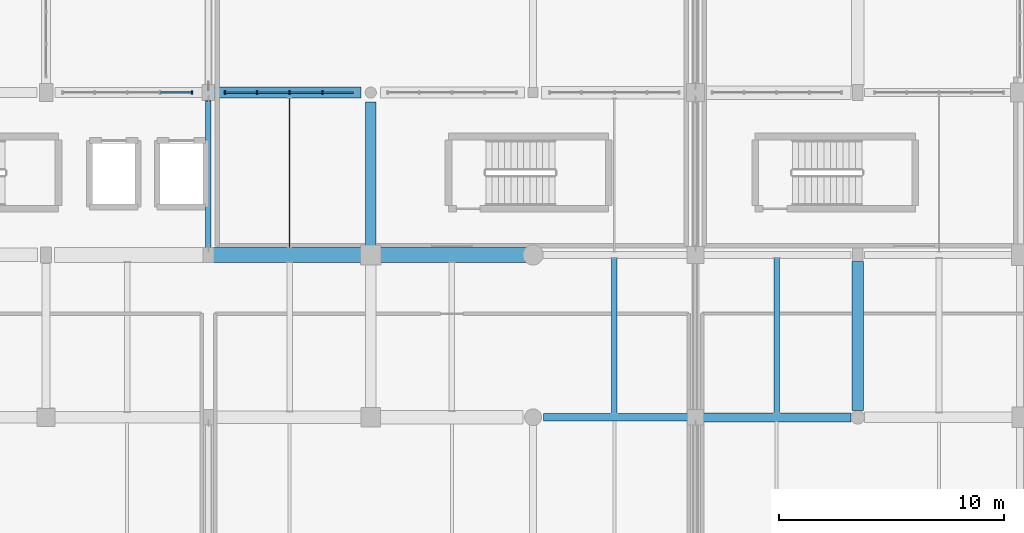
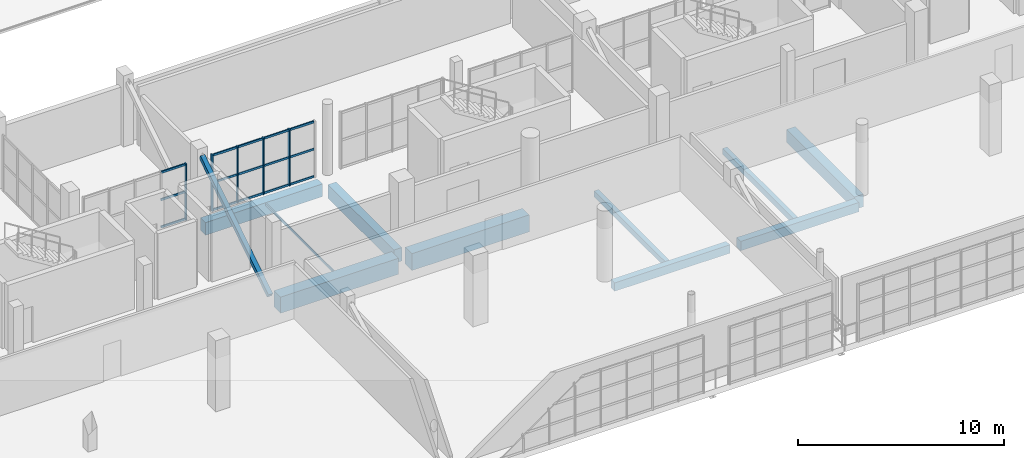
# One storey, part 30 of 90: 21 members, 10 beams, 2 elements without a shape of their own.
"""IFC4 building model written with IfcOpenShell, lengths in metres."""

import ifcopenshell
import ifcopenshell.guid

model = None  # the IFC model being written
_history = None  # IfcOwnerHistory: only IFC2X3 demands one
_inside = {}  # id of a spatial element -> (the spatial element, [elements in it])
_under = {}  # id of a project, library or spatial element -> (it, [spatial elements below it])
_declared = {}  # id of a project -> (the project, [libraries it declares])
_typed = {}  # id of a type object -> (the type object, [elements of that type])
_made_of = {}  # id of a material, layer set ... -> (it, [elements and type objects made of it])


def new_model(schema):
    """Start an empty IFC model of exactly this schema.

    Asked for "IFC4X3", IfcOpenShell would pick the latest addendum, in which some entities
    have other attributes; the version numbers below select the first issue.
    IFC2X3 requires an IfcOwnerHistory on every rooted entity: one is made here for all.
    """
    global model, _history
    if schema == "IFC4X3":
        model = ifcopenshell.file(schema_version=(4, 3, 0, 0))
    else:
        model = ifcopenshell.file(schema=schema)
    _inside.clear()
    _under.clear()
    _declared.clear()
    _typed.clear()
    _made_of.clear()
    _history = None
    if model.schema == "IFC2X3":
        org = make("IfcOrganization", Name="unknown")
        user = make(
            "IfcPersonAndOrganization",
            ThePerson=make("IfcPerson", FamilyName="unknown"),
            TheOrganization=org,
        )
        app = make(
            "IfcApplication",
            ApplicationDeveloper=org,
            Version="unknown",
            ApplicationFullName="unknown",
            ApplicationIdentifier="unknown",
        )
        _history = make(
            "IfcOwnerHistory",
            OwningUser=user,
            OwningApplication=app,
            ChangeAction="ADDED",
            CreationDate=0,
        )
    return model


def make(cls, **values):
    """One entity of the class cls with the attributes given. An attribute that is None is left unset."""
    return model.create_entity(
        cls, **{name: value for name, value in values.items() if value is not None}
    )


def rooted(cls, **values):
    """An entity with a GlobalId (a new one), such as an element, a storey or a relation."""
    return make(cls, GlobalId=ifcopenshell.guid.new(), OwnerHistory=_history, **values)


def si_unit(unit_type, name, prefix=None):
    """IfcSIUnit, for example si_unit("LENGTHUNIT", "METRE", prefix="MILLI")."""
    return make("IfcSIUnit", UnitType=unit_type, Prefix=prefix, Name=name)


def assignment(units):
    """IfcUnitAssignment: the units of a project."""
    return None if units is None else make("IfcUnitAssignment", Units=units)


def point(xyz):
    """IfcCartesianPoint."""
    return None if xyz is None else make("IfcCartesianPoint", Coordinates=xyz)


def direction(xyz):
    """IfcDirection."""
    return None if xyz is None else make("IfcDirection", DirectionRatios=xyz)


def frame(location, z_axis=None, x_axis=None):
    """IfcAxis2Placement3D, a coordinate frame: its origin and axes. An axis left out is left unset."""
    return make(
        "IfcAxis2Placement3D",
        Location=point(location),
        Axis=direction(z_axis),
        RefDirection=direction(x_axis),
    )


def frame_2d(location, x_axis=None):
    """IfcAxis2Placement2D, a coordinate frame in the plane: its origin and x axis."""
    return make(
        "IfcAxis2Placement2D", Location=point(location), RefDirection=direction(x_axis)
    )


def origin():
    """The frame at (0, 0, 0) with its axes left unset."""
    return frame((0.0, 0.0, 0.0))


def origin_2d():
    """The frame at (0, 0) in the plane with its x axis left unset."""
    return frame_2d((0.0, 0.0))


def place(relative_to, where):
    """IfcLocalPlacement: puts the frame where relative to a parent placement (None: the world)."""
    return make(
        "IfcLocalPlacement", PlacementRelTo=relative_to, RelativePlacement=where
    )


def context(
    kind, dimensions, precision=None, world=None, true_north=None, identifier=None
):
    """IfcGeometricRepresentationContext, for example the 3D "Model" context."""
    return make(
        "IfcGeometricRepresentationContext",
        ContextIdentifier=identifier,
        ContextType=kind,
        CoordinateSpaceDimension=dimensions,
        Precision=precision,
        WorldCoordinateSystem=world,
        TrueNorth=true_north,
    )


def subcontext(parent, identifier, kind, view, scale=None):
    """IfcGeometricRepresentationSubContext, for example "Body" below "Model"."""
    return make(
        "IfcGeometricRepresentationSubContext",
        ContextIdentifier=identifier,
        ContextType=kind,
        ParentContext=parent,
        TargetScale=scale,
        TargetView=view,
    )


def project(units=None, contexts=None):
    """IfcProject with its units and contexts."""
    return rooted(
        "IfcProject",
        Name="project",
        RepresentationContexts=contexts,
        UnitsInContext=assignment(units),
    )


def spatial(cls, under=None, at=None, **own):
    """A site, building, storey or space (cls), placed at a placement, below another one or the project."""
    s = rooted(cls, ObjectPlacement=at, **own)
    if under is not None:
        _under.setdefault(under.id(), (under, []))[1].append(s)
    return s


def profile(cls, at=None, kind="AREA", **sizes):
    """A parametric profile (cls). Its sizes go by their IFC names, for example OverallWidth=200.0."""
    return make(cls, ProfileType=kind, Position=at, **sizes)


def rectangle(**sizes):
    """IfcRectangleProfileDef."""
    return profile("IfcRectangleProfileDef", **sizes)


def hollow_rectangle(**sizes):
    """IfcRectangleHollowProfileDef."""
    return profile("IfcRectangleHollowProfileDef", **sizes)


def extrude(swept, where, along, depth):
    """IfcExtrudedAreaSolid: the profile swept, set in the frame where, extruded along a direction by depth."""
    return make(
        "IfcExtrudedAreaSolid",
        SweptArea=swept,
        Position=where,
        ExtrudedDirection=direction(along),
        Depth=depth,
    )


def shape(context_of_items, identifier, shape_type, items):
    """IfcShapeRepresentation: the items that make up one representation, for example the "Body"."""
    return make(
        "IfcShapeRepresentation",
        ContextOfItems=context_of_items,
        RepresentationIdentifier=identifier,
        RepresentationType=shape_type,
        Items=items,
    )


def material(Name=None, Category=None):
    """IfcMaterial."""
    return make("IfcMaterial", Name=Name, Category=Category)


def material_profile(
    of_material, cross_section, Name=None, Category=None, Priority=None
):
    """IfcMaterialProfile: a cross section and its material."""
    return make(
        "IfcMaterialProfile",
        Name=Name,
        Material=of_material,
        Profile=cross_section,
        Priority=Priority,
        Category=Category,
    )


def profile_set(profiles, Name=None, composite=None):
    """IfcMaterialProfileSet."""
    return make(
        "IfcMaterialProfileSet",
        Name=Name,
        MaterialProfiles=profiles,
        CompositeProfile=composite,
    )


def made_of(thing, what):
    """Note that an element or type object is made of a material, layer set ...; save() writes the relation."""
    if what is not None:
        _made_of.setdefault(what.id(), (what, []))[1].append(thing)
    return thing


def type_object(cls, material=None, **own):
    """A type object (cls), such as IfcWallType, which elements share."""
    return made_of(rooted(cls, **own), material)


def element(
    cls,
    number,
    at=None,
    inside=None,
    cuts=None,
    type_object=None,
    material=None,
    context=None,
    identifier="Body",
    shape_type=None,
    held_by="IfcProductDefinitionShape",
    body=None,
    shapes=None,
    **own,
):
    """One element of the class cls, such as IfcWall. Its Tag is "e" and its number.

    at: its placement. inside: the storey or other place that contains it. cuts: it is an
    opening in that element (IfcRelVoidsElement). A single representation is given by context,
    identifier, shape_type and body (its items); several are given by shapes. held_by: the class
    of the entity that holds the representations. save() writes the other relations.
    """
    e = rooted(cls, Tag="e%d" % number, ObjectPlacement=at, **own)
    if body is not None:
        shapes = [shape(context, identifier, shape_type, body)]
    if shapes is not None:
        e.Representation = make(held_by, Representations=shapes)
    if inside is not None:
        _inside.setdefault(inside.id(), (inside, []))[1].append(e)
    if cuts is not None:
        rooted(
            "IfcRelVoidsElement", RelatingBuildingElement=cuts, RelatedOpeningElement=e
        )
    if type_object is not None:
        _typed.setdefault(type_object.id(), (type_object, []))[1].append(e)
    return made_of(e, material)


def aggregate(whole, parts):
    """IfcRelAggregates: a whole, such as a stair, and the parts it consists of."""
    return rooted("IfcRelAggregates", RelatingObject=whole, RelatedObjects=parts)


def save(model, path):
    """Write the relations noted so far, then the file.

    IfcRelAggregates (storeys below a building ...), IfcRelContainedInSpatialStructure (elements
    in a storey), IfcRelDefinesByType, IfcRelAssociatesMaterial and IfcRelDeclares: one each for
    every whole, place, type object, material and project.
    """
    for whole, parts in _under.values():
        aggregate(whole, parts)
    for where, things in _inside.values():
        rooted(
            "IfcRelContainedInSpatialStructure",
            RelatedElements=things,
            RelatingStructure=where,
        )
    for kind, things in _typed.values():
        rooted("IfcRelDefinesByType", RelatedObjects=things, RelatingType=kind)
    for what, things in _made_of.values():
        rooted("IfcRelAssociatesMaterial", RelatedObjects=things, RelatingMaterial=what)
    for by, libraries in _declared.values():
        rooted("IfcRelDeclares", RelatingContext=by, RelatedDefinitions=libraries)
    model.write(path)


model = new_model("IFC4")

# Units and contexts
model_context = context("Model", 3, precision=1e-05, world=origin(), true_north=direction((0.0, 1.0)))
body_context = subcontext(model_context, "Body", "Model", "MODEL_VIEW")
ifc_project = project(units=[si_unit("LENGTHUNIT", "METRE"), si_unit("AREAUNIT", "SQUARE_METRE"), si_unit("VOLUMEUNIT", "CUBIC_METRE"), si_unit("PLANEANGLEUNIT", "RADIAN"), si_unit("MASSUNIT", "GRAM", prefix="KILO")], contexts=[model_context])

# Site, building, storey
site_placement = place(None, origin())
site = spatial("IfcSite", under=ifc_project, at=site_placement, CompositionType="ELEMENT")
building_placement = place(site_placement, origin())
building = spatial("IfcBuilding", under=site, at=building_placement, Name="Solanera Park Tramway Depot", CompositionType="ELEMENT")
storey_placement = place(building_placement, frame((0.0, 0.0, 9.0)))
storey = spatial("IfcBuildingStorey", under=building, at=storey_placement, Name="L02", CompositionType="ELEMENT", Elevation=9.0)

# Curtain wall, member
ifc_material_1 = material(Name="Bronze-anodised thermally broken aluminium curtain wall", Category="aluminium")
curtain_wall_type = type_object("IfcCurtainWallType", Name="Courtyard Cloister Unitised Curtain Wall", PredefinedType="NOTDEFINED", material=ifc_material_1)
curtain_wall_1_placement = place(storey_placement, origin())
curtain_wall_1 = element("IfcCurtainWall", 1, at=curtain_wall_1_placement, inside=storey, type_object=curtain_wall_type, Name="L02 Courtyard Cloister Unitised Curtain Wall #104", PredefinedType="NOTDEFINED")
ifc_material_2 = material(Name="Bronze-anodised structural aluminium 6063-T6", Category="aluminium")
ifc_material_profile_1 = material_profile(ifc_material_2, rectangle(XDim=0.06494140625, YDim=0.14990234375, at=origin_2d()), Name="Curtain Wall Mullion 65x150")
ifc_profile_set_1 = profile_set([ifc_material_profile_1], Name="Bronze-anodised structural aluminium 6063-T6")
member_type_1 = type_object("IfcMemberType", Name="Curtain Wall Mullion 65x150", PredefinedType="MULLION", material=ifc_profile_set_1)
member_1_placement = place(storey_placement, frame((128.867431640625, 25.199951171875, 0.0), z_axis=(0.0, 0.0, 1.0), x_axis=(1.0, 0.0, 0.0)))
member_1 = element("IfcMember", 2, at=member_1_placement, type_object=member_type_1, Name="CW-L02-104 Mullion 5", PredefinedType="MULLION", context=body_context, shape_type="SweptSolid", body=[
    extrude(rectangle(XDim=0.06494140625, YDim=0.14990234375, at=origin_2d()), origin(), (0.0, 0.0, 1.0), 3.35009765625),
])

# Curtain wall, members
curtain_wall_2_placement = place(storey_placement, origin())
curtain_wall_2 = element("IfcCurtainWall", 3, at=curtain_wall_2_placement, inside=storey, type_object=curtain_wall_type, Name="L02 Courtyard Cloister Unitised Curtain Wall #105", PredefinedType="NOTDEFINED")
member_2_placement = place(storey_placement, frame((130.33251953125, 25.199951171875, 0.0), z_axis=(0.0, 0.0, 1.0), x_axis=(1.0, 0.0, 0.0)))
member_2 = element("IfcMember", 4, at=member_2_placement, type_object=member_type_1, Name="CW-L02-105 Mullion 1", PredefinedType="MULLION", context=body_context, shape_type="SweptSolid", body=[
    extrude(rectangle(XDim=0.06494140625, YDim=0.14990234375, at=origin_2d()), origin(), (0.0, 0.0, 1.0), 3.35009765625),
])
member_3_placement = place(storey_placement, frame((131.75, 25.199951171875, 0.0), z_axis=(0.0, 0.0, 1.0), x_axis=(1.0, 0.0, 0.0)))
member_3 = element("IfcMember", 5, at=member_3_placement, type_object=member_type_1, Name="CW-L02-105 Mullion 2", PredefinedType="MULLION", context=body_context, shape_type="SweptSolid", body=[
    extrude(rectangle(XDim=0.06494140625, YDim=0.14990234375, at=origin_2d()), origin(), (0.0, 0.0, 1.0), 3.35009765625),
])
member_4_placement = place(storey_placement, frame((133.199951171875, 25.199951171875, 0.0), z_axis=(0.0, 0.0, 1.0), x_axis=(1.0, 0.0, 0.0)))
member_4 = element("IfcMember", 6, at=member_4_placement, type_object=member_type_1, Name="CW-L02-105 Mullion 3", PredefinedType="MULLION", context=body_context, shape_type="SweptSolid", body=[
    extrude(rectangle(XDim=0.06494140625, YDim=0.14990234375, at=origin_2d()), origin(), (0.0, 0.0, 1.0), 3.35009765625),
])
member_5_placement = place(storey_placement, frame((134.64990234375, 25.199951171875, 0.0), z_axis=(0.0, 0.0, 1.0), x_axis=(1.0, 0.0, 0.0)))
member_5 = element("IfcMember", 7, at=member_5_placement, type_object=member_type_1, Name="CW-L02-105 Mullion 4", PredefinedType="MULLION", context=body_context, shape_type="SweptSolid", body=[
    extrude(rectangle(XDim=0.06494140625, YDim=0.14990234375, at=origin_2d()), origin(), (0.0, 0.0, 1.0), 3.35009765625),
])

# Member
ifc_material_3 = material(Name="Bronze-anodised structural aluminium 6063-T6", Category="aluminium")
ifc_material_profile_2 = material_profile(ifc_material_3, rectangle(XDim=0.06494140625, YDim=0.1201171875, at=origin_2d()), Name="Curtain Wall Transom 65x120")
ifc_profile_set_2 = profile_set([ifc_material_profile_2], Name="Bronze-anodised structural aluminium 6063-T6")
member_type_2 = type_object("IfcMemberType", Name="Curtain Wall Transom 65x120", PredefinedType="USERDEFINED", material=ifc_profile_set_2)
member_6_placement = place(storey_placement, frame((127.47802734375, 25.199951171875, 0.06005859375), z_axis=(1.0, 0.0, 0.0), x_axis=(0.0, 1.0, 0.0)))
member_6 = element("IfcMember", 8, at=member_6_placement, type_object=member_type_2, Name="CW-L02-104 Transom R1.C4", ObjectType="TRANSOM", PredefinedType="USERDEFINED", context=body_context, shape_type="SweptSolid", body=[
    extrude(rectangle(XDim=0.06494140625, YDim=0.1201171875, at=origin_2d()), origin(), (0.0, 0.0, 1.0), 1.361572265625),
])

member_7_placement = place(storey_placement, frame((127.47802734375, 25.199951171875, 1.675048828125), z_axis=(1.0, 0.0, 0.0), x_axis=(0.0, 1.0, 0.0)))
member_7 = element("IfcMember", 9, at=member_7_placement, type_object=member_type_2, Name="CW-L02-104 Transom R2.C4", ObjectType="TRANSOM", PredefinedType="USERDEFINED", context=body_context, shape_type="SweptSolid", body=[
    extrude(rectangle(XDim=0.06494140625, YDim=0.1201171875, at=origin_2d()), origin(), (0.0, 0.0, 1.0), 1.361572265625),
])

member_8_placement = place(storey_placement, frame((127.47802734375, 25.199951171875, 3.2900390625), z_axis=(1.0, 0.0, 0.0), x_axis=(0.0, 1.0, 0.0)))
member_8 = element("IfcMember", 10, at=member_8_placement, type_object=member_type_2, Name="CW-L02-104 Transom R3.C4", ObjectType="TRANSOM", PredefinedType="USERDEFINED", context=body_context, shape_type="SweptSolid", body=[
    extrude(rectangle(XDim=0.06494140625, YDim=0.1201171875, at=origin_2d()), origin(), (0.0, 0.0, 1.0), 1.361572265625),
])

aggregate(curtain_wall_1, [member_1, member_6, member_7, member_8])

member_9_placement = place(storey_placement, frame((130.360595703125, 25.199951171875, 0.06005859375), z_axis=(1.0, 0.0, 0.0), x_axis=(0.0, 1.0, 0.0)))
member_9 = element("IfcMember", 11, at=member_9_placement, type_object=member_type_2, Name="CW-L02-105 Transom R1.C1", ObjectType="TRANSOM", PredefinedType="USERDEFINED", context=body_context, shape_type="SweptSolid", body=[
    extrude(rectangle(XDim=0.06494140625, YDim=0.1201171875, at=origin_2d()), origin(), (0.0, 0.0, 1.0), 1.361328125),
])

member_10_placement = place(storey_placement, frame((131.778076171875, 25.199951171875, 0.06005859375), z_axis=(1.0, 0.0, 0.0), x_axis=(0.0, 1.0, 0.0)))
member_10 = element("IfcMember", 12, at=member_10_placement, type_object=member_type_2, Name="CW-L02-105 Transom R1.C2", ObjectType="TRANSOM", PredefinedType="USERDEFINED", context=body_context, shape_type="SweptSolid", body=[
    extrude(rectangle(XDim=0.06494140625, YDim=0.1201171875, at=origin_2d()), origin(), (0.0, 0.0, 1.0), 1.39404296875),
])

member_11_placement = place(storey_placement, frame((133.22802734375, 25.199951171875, 0.06005859375), z_axis=(1.0, 0.0, 0.0), x_axis=(0.0, 1.0, 0.0)))
member_11 = element("IfcMember", 13, at=member_11_placement, type_object=member_type_2, Name="CW-L02-105 Transom R1.C3", ObjectType="TRANSOM", PredefinedType="USERDEFINED", context=body_context, shape_type="SweptSolid", body=[
    extrude(rectangle(XDim=0.06494140625, YDim=0.1201171875, at=origin_2d()), origin(), (0.0, 0.0, 1.0), 1.39404296875),
])

member_12_placement = place(storey_placement, frame((134.677978515625, 25.199951171875, 0.06005859375), z_axis=(1.0, 0.0, 0.0), x_axis=(0.0, 1.0, 0.0)))
member_12 = element("IfcMember", 14, at=member_12_placement, type_object=member_type_2, Name="CW-L02-105 Transom R1.C4", ObjectType="TRANSOM", PredefinedType="USERDEFINED", context=body_context, shape_type="SweptSolid", body=[
    extrude(rectangle(XDim=0.06494140625, YDim=0.1201171875, at=origin_2d()), origin(), (0.0, 0.0, 1.0), 1.361572265625),
])

member_13_placement = place(storey_placement, frame((130.360595703125, 25.199951171875, 1.675048828125), z_axis=(1.0, 0.0, 0.0), x_axis=(0.0, 1.0, 0.0)))
member_13 = element("IfcMember", 15, at=member_13_placement, type_object=member_type_2, Name="CW-L02-105 Transom R2.C1", ObjectType="TRANSOM", PredefinedType="USERDEFINED", context=body_context, shape_type="SweptSolid", body=[
    extrude(rectangle(XDim=0.06494140625, YDim=0.1201171875, at=origin_2d()), origin(), (0.0, 0.0, 1.0), 1.361328125),
])

member_14_placement = place(storey_placement, frame((131.778076171875, 25.199951171875, 1.675048828125), z_axis=(1.0, 0.0, 0.0), x_axis=(0.0, 1.0, 0.0)))
member_14 = element("IfcMember", 16, at=member_14_placement, type_object=member_type_2, Name="CW-L02-105 Transom R2.C2", ObjectType="TRANSOM", PredefinedType="USERDEFINED", context=body_context, shape_type="SweptSolid", body=[
    extrude(rectangle(XDim=0.06494140625, YDim=0.1201171875, at=origin_2d()), origin(), (0.0, 0.0, 1.0), 1.39404296875),
])

member_15_placement = place(storey_placement, frame((133.22802734375, 25.199951171875, 1.675048828125), z_axis=(1.0, 0.0, 0.0), x_axis=(0.0, 1.0, 0.0)))
member_15 = element("IfcMember", 17, at=member_15_placement, type_object=member_type_2, Name="CW-L02-105 Transom R2.C3", ObjectType="TRANSOM", PredefinedType="USERDEFINED", context=body_context, shape_type="SweptSolid", body=[
    extrude(rectangle(XDim=0.06494140625, YDim=0.1201171875, at=origin_2d()), origin(), (0.0, 0.0, 1.0), 1.39404296875),
])

member_16_placement = place(storey_placement, frame((134.677978515625, 25.199951171875, 1.675048828125), z_axis=(1.0, 0.0, 0.0), x_axis=(0.0, 1.0, 0.0)))
member_16 = element("IfcMember", 18, at=member_16_placement, type_object=member_type_2, Name="CW-L02-105 Transom R2.C4", ObjectType="TRANSOM", PredefinedType="USERDEFINED", context=body_context, shape_type="SweptSolid", body=[
    extrude(rectangle(XDim=0.06494140625, YDim=0.1201171875, at=origin_2d()), origin(), (0.0, 0.0, 1.0), 1.361572265625),
])

member_17_placement = place(storey_placement, frame((130.360595703125, 25.199951171875, 3.2900390625), z_axis=(1.0, 0.0, 0.0), x_axis=(0.0, 1.0, 0.0)))
member_17 = element("IfcMember", 19, at=member_17_placement, type_object=member_type_2, Name="CW-L02-105 Transom R3.C1", ObjectType="TRANSOM", PredefinedType="USERDEFINED", context=body_context, shape_type="SweptSolid", body=[
    extrude(rectangle(XDim=0.06494140625, YDim=0.1201171875, at=origin_2d()), origin(), (0.0, 0.0, 1.0), 1.361328125),
])

member_18_placement = place(storey_placement, frame((131.778076171875, 25.199951171875, 3.2900390625), z_axis=(1.0, 0.0, 0.0), x_axis=(0.0, 1.0, 0.0)))
member_18 = element("IfcMember", 20, at=member_18_placement, type_object=member_type_2, Name="CW-L02-105 Transom R3.C2", ObjectType="TRANSOM", PredefinedType="USERDEFINED", context=body_context, shape_type="SweptSolid", body=[
    extrude(rectangle(XDim=0.06494140625, YDim=0.1201171875, at=origin_2d()), origin(), (0.0, 0.0, 1.0), 1.39404296875),
])

member_19_placement = place(storey_placement, frame((133.22802734375, 25.199951171875, 3.2900390625), z_axis=(1.0, 0.0, 0.0), x_axis=(0.0, 1.0, 0.0)))
member_19 = element("IfcMember", 21, at=member_19_placement, type_object=member_type_2, Name="CW-L02-105 Transom R3.C3", ObjectType="TRANSOM", PredefinedType="USERDEFINED", context=body_context, shape_type="SweptSolid", body=[
    extrude(rectangle(XDim=0.06494140625, YDim=0.1201171875, at=origin_2d()), origin(), (0.0, 0.0, 1.0), 1.39404296875),
])

member_20_placement = place(storey_placement, frame((134.677978515625, 25.199951171875, 3.2900390625), z_axis=(1.0, 0.0, 0.0), x_axis=(0.0, 1.0, 0.0)))
member_20 = element("IfcMember", 22, at=member_20_placement, type_object=member_type_2, Name="CW-L02-105 Transom R3.C4", ObjectType="TRANSOM", PredefinedType="USERDEFINED", context=body_context, shape_type="SweptSolid", body=[
    extrude(rectangle(XDim=0.06494140625, YDim=0.1201171875, at=origin_2d()), origin(), (0.0, 0.0, 1.0), 1.361572265625),
])

aggregate(curtain_wall_2, [member_2, member_3, member_4, member_5, member_9, member_10, member_11, member_12, member_13, member_14, member_15, member_16, member_17, member_18, member_19, member_20])

# Beams
ifc_material_4 = material(Name="Concrete N40 (C40/50)", Category="concrete")
ifc_material_profile_3 = material_profile(ifc_material_4, rectangle(XDim=0.35009765625, YDim=0.5, at=origin_2d()), Name="RCB 350x500")
ifc_profile_set_3 = profile_set([ifc_material_profile_3], Name="Concrete N40 (C40/50)")
beam_type_1 = type_object("IfcBeamType", Name="RC Floor Beam RCB 350x500", PredefinedType="BEAM", material=ifc_profile_set_3)
beam_1_placement = place(storey_placement, frame((144.449951171875, 10.800048828125, -0.614013671875), z_axis=(1.0, 0.0, 0.0), x_axis=(0.0, 1.0, 0.0)))
element("IfcBeam", 23, at=beam_1_placement, inside=storey, type_object=beam_type_1, Name="L02 Primary X-Girder RCB 350x500 #0103", PredefinedType="BEAM", context=body_context, shape_type="SweptSolid", body=[
    extrude(rectangle(XDim=0.35009765625, YDim=0.5, at=origin_2d()), origin(), (0.0, 0.0, 1.0), 6.449951171875),
])
ifc_material_5 = material(Name="Concrete N40 (C40/50)", Category="concrete")
ifc_material_profile_4 = material_profile(ifc_material_5, rectangle(XDim=0.39990234375, YDim=0.550048828125, at=origin_2d()), Name="RCB 400x550")
ifc_profile_set_4 = profile_set([ifc_material_profile_4], Name="Concrete N40 (C40/50)")
beam_type_2 = type_object("IfcBeamType", Name="RC Floor Beam RCB 400x550", PredefinedType="BEAM", material=ifc_profile_set_4)
beam_2_placement = place(storey_placement, frame((151.5, 10.800048828125, -0.638916015625), z_axis=(1.0, 0.0, 0.0), x_axis=(0.0, 1.0, 0.0)))
element("IfcBeam", 24, at=beam_2_placement, inside=storey, type_object=beam_type_2, Name="L02 Primary X-Girder RCB 400x550 #0104", PredefinedType="BEAM", context=body_context, shape_type="SweptSolid", body=[
    extrude(rectangle(XDim=0.39990234375, YDim=0.550048828125, at=origin_2d()), origin(), (0.0, 0.0, 1.0), 6.60009765625),
])
ifc_material_6 = material(Name="Concrete N40 (C40/50)", Category="concrete")
ifc_material_profile_5 = material_profile(ifc_material_6, rectangle(XDim=0.449951171875, YDim=0.800048828125, at=origin_2d()), Name="RCB 450x800")
ifc_profile_set_5 = profile_set([ifc_material_profile_5], Name="Concrete N40 (C40/50)")
beam_type_3 = type_object("IfcBeamType", Name="RC Floor Beam RCB 450x800", PredefinedType="BEAM", material=ifc_profile_set_5)
beam_3_placement = place(storey_placement, frame((136.800048828125, 18.375, -0.763916015625), z_axis=(0.0, 1.0, 0.0), x_axis=(-1.0, 0.0, 0.0)))
element("IfcBeam", 25, at=beam_3_placement, inside=storey, type_object=beam_type_3, Name="L02 Primary Y-Girder RCB 450x800 #0148", PredefinedType="BEAM", context=body_context, shape_type="SweptSolid", body=[
    extrude(rectangle(XDim=0.449951171875, YDim=0.800048828125, at=origin_2d()), origin(), (0.0, 0.0, 1.0), 6.39990234375),
])
ifc_material_7 = material(Name="Concrete N40 (C40/50)", Category="concrete")
ifc_material_profile_6 = material_profile(ifc_material_7, rectangle(XDim=0.5, YDim=0.75, at=origin_2d()), Name="RCB 500x750")
ifc_profile_set_6 = profile_set([ifc_material_profile_6], Name="Concrete N40 (C40/50)")
beam_type_4 = type_object("IfcBeamType", Name="RC Floor Beam RCB 500x750", PredefinedType="BEAM", material=ifc_profile_set_6)
beam_4_placement = place(storey_placement, frame((129.824951171875, 25.199951171875, -0.739013671875), z_axis=(1.0, 0.0, 0.0), x_axis=(0.0, 1.0, 0.0)))
element("IfcBeam", 26, at=beam_4_placement, inside=storey, type_object=beam_type_4, Name="L02 Primary X-Girder RCB 500x750 #0123", PredefinedType="BEAM", context=body_context, shape_type="SweptSolid", body=[
    extrude(rectangle(XDim=0.5, YDim=0.75, at=origin_2d()), origin(), (0.0, 0.0, 1.0), 6.550048828125),
])
beam_5_placement = place(storey_placement, frame((158.39990234375, 11.10009765625, -0.739013671875), z_axis=(0.0, 1.0, 0.0), x_axis=(-1.0, 0.0, 0.0)))
element("IfcBeam", 27, at=beam_5_placement, inside=storey, type_object=beam_type_4, Name="L02 Primary Y-Girder RCB 500x750 #0149", PredefinedType="BEAM", context=body_context, shape_type="SweptSolid", body=[
    extrude(rectangle(XDim=0.5, YDim=0.75, at=origin_2d()), origin(), (0.0, 0.0, 1.0), 6.599853515625),
])
ifc_material_8 = material(Name="Concrete N40 (C40/50)", Category="concrete")
ifc_material_profile_7 = material_profile(ifc_material_8, rectangle(XDim=0.64990234375, YDim=1.0, at=origin_2d()), Name="RCB 650x1000")
ifc_profile_set_7 = profile_set([ifc_material_profile_7], Name="Concrete N40 (C40/50)")
beam_type_5 = type_object("IfcBeamType", Name="RC Floor Beam RCB 650x1000", PredefinedType="BEAM", material=ifc_profile_set_7)
beam_6_placement = place(storey_placement, frame((137.175048828125, 18.0, -0.864013671875), z_axis=(1.0, 0.0, 0.0), x_axis=(0.0, 1.0, 0.0)))
element("IfcBeam", 28, at=beam_6_placement, inside=storey, type_object=beam_type_5, Name="L02 Primary X-Girder RCB 650x1000 #0113", PredefinedType="BEAM", context=body_context, shape_type="SweptSolid", body=[
    extrude(rectangle(XDim=0.64990234375, YDim=1.0, at=origin_2d()), origin(), (0.0, 0.0, 1.0), 6.574951171875),
])
ifc_material_9 = material(Name="Concrete N40 (C40/50)", Category="concrete")
ifc_material_profile_8 = material_profile(ifc_material_9, rectangle(XDim=0.64990234375, YDim=0.949951171875, at=origin_2d()), Name="RCB 650x950")
ifc_profile_set_8 = profile_set([ifc_material_profile_8], Name="Concrete N40 (C40/50)")
beam_type_6 = type_object("IfcBeamType", Name="RC Floor Beam RCB 650x950", PredefinedType="BEAM", material=ifc_profile_set_8)
beam_7_placement = place(storey_placement, frame((129.824951171875, 18.0, -0.839111328125), z_axis=(1.0, 0.0, 0.0), x_axis=(0.0, 1.0, 0.0)))
element("IfcBeam", 29, at=beam_7_placement, inside=storey, type_object=beam_type_6, Name="L02 Primary X-Girder RCB 650x950 #0112", PredefinedType="BEAM", context=body_context, shape_type="SweptSolid", body=[
    extrude(rectangle(XDim=0.64990234375, YDim=0.949951171875, at=origin_2d()), origin(), (0.0, 0.0, 1.0), 6.60009765625),
])
ifc_material_10 = material(Name="Steel AS/NZS 1163 Grade C350L0", Category="steel")
ifc_material_profile_9 = material_profile(ifc_material_10, hollow_rectangle(XDim=0.050048828125, YDim=0.14990234375, WallThickness=0.0048828125, at=origin_2d()), Name="150x50x5.0 RHS")
ifc_profile_set_9 = profile_set([ifc_material_profile_9], Name="Steel AS/NZS 1163 Grade C350L0")
beam_type_7 = type_object("IfcBeamType", Name="Steel Joist Purlin 150x50x5.0 RHS", PredefinedType="JOIST", material=ifc_profile_set_9)
beam_8_placement = place(storey_placement, frame((133.199951171875, 18.31689453125, -0.43896484375), z_axis=(0.0, 1.0, 0.0), x_axis=(-1.0, 0.0, 0.0)))
element("IfcBeam", 30, at=beam_8_placement, inside=storey, type_object=beam_type_7, Name="L02 Secondary Floor Joist 150x50x5.0 RHS #0183", PredefinedType="JOIST", context=body_context, shape_type="SweptSolid", body=[
    extrude(hollow_rectangle(XDim=0.050048828125, YDim=0.14990234375, WallThickness=0.0048828125, at=origin_2d()), origin(), (0.0, 0.0, 1.0), 6.64111328125),
])
ifc_material_11 = material(Name="Steel AS/NZS 1163 Grade C350L0", Category="steel")
ifc_material_profile_10 = material_profile(ifc_material_11, hollow_rectangle(XDim=0.25, YDim=0.35009765625, WallThickness=0.010009765625, at=origin_2d()), Name="350x250x10.0 RHS")
ifc_profile_set_10 = profile_set([ifc_material_profile_10], Name="Steel AS/NZS 1163 Grade C350L0")
beam_type_8 = type_object("IfcBeamType", Name="Steel Joist Purlin 350x250x10.0 RHS", PredefinedType="JOIST", material=ifc_profile_set_10)
beam_9_placement = place(storey_placement, frame((147.60009765625, 10.967041015625, -0.5390625), z_axis=(0.0, 1.0, 0.0), x_axis=(-1.0, 0.0, 0.0)))
element("IfcBeam", 31, at=beam_9_placement, inside=storey, type_object=beam_type_8, Name="L02 Secondary Floor Joist 350x250x10.0 RHS #0176", PredefinedType="JOIST", context=body_context, shape_type="SweptSolid", body=[
    extrude(hollow_rectangle(XDim=0.25, YDim=0.35009765625, WallThickness=0.010009765625, at=origin_2d()), origin(), (0.0, 0.0, 1.0), 6.890869140625),
])
beam_10_placement = place(storey_placement, frame((154.800048828125, 10.991943359375, -0.5390625), z_axis=(0.0, 1.0, 0.0), x_axis=(-1.0, 0.0, 0.0)))
element("IfcBeam", 32, at=beam_10_placement, inside=storey, type_object=beam_type_8, Name="L02 Secondary Floor Joist 350x250x10.0 RHS #0177", PredefinedType="JOIST", context=body_context, shape_type="SweptSolid", body=[
    extrude(hollow_rectangle(XDim=0.25, YDim=0.35009765625, WallThickness=0.010009765625, at=origin_2d()), origin(), (0.0, 0.0, 1.0), 6.865966796875),
])

# Member
ifc_material_12 = material(Name="Steel AS/NZS 1163 Grade C350L0", Category="steel")
ifc_material_profile_11 = material_profile(ifc_material_12, hollow_rectangle(XDim=0.25, YDim=0.25, WallThickness=0.010009765625, at=origin_2d()), Name="250x250x10.0 SHS")
ifc_profile_set_11 = profile_set([ifc_material_profile_11], Name="Steel AS/NZS 1163 Grade C350L0")
member_type_3 = type_object("IfcMemberType", Name="Truss and Frame Brace 250x250x10.0 SHS", PredefinedType="BRACE", material=ifc_profile_set_11)
member_21_placement = place(storey_placement, frame((129.60009765625, 18.300048828125, -0.550048828125), z_axis=(0.0, 0.841919409208, 0.539603287979), x_axis=(-1.0, 0.0, 0.0)))
element("IfcMember", 33, at=member_21_placement, inside=storey, type_object=member_type_3, Name="Pratt Transfer Truss Web Diagonal #0002", PredefinedType="BRACE", context=body_context, shape_type="SweptSolid", body=[
    extrude(hollow_rectangle(XDim=0.25, YDim=0.25, WallThickness=0.010009765625, at=origin_2d()), origin(), (0.0, 0.0, 1.0), 7.839111328125),
])

save(model, "model.ifc")
